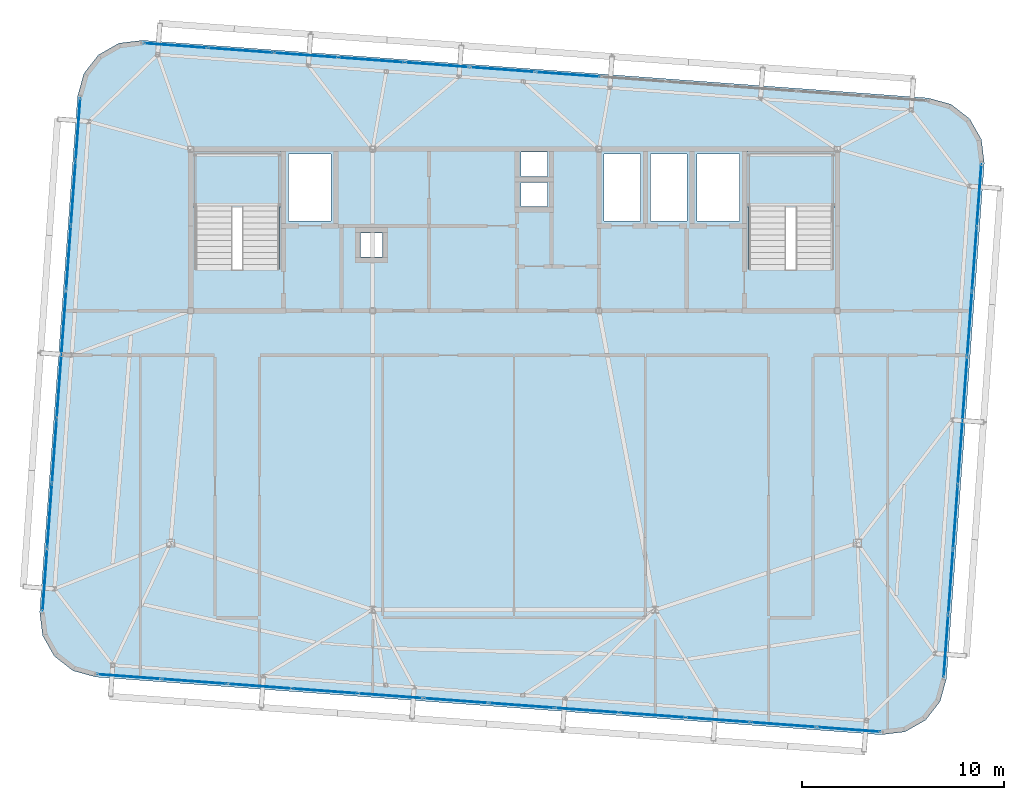
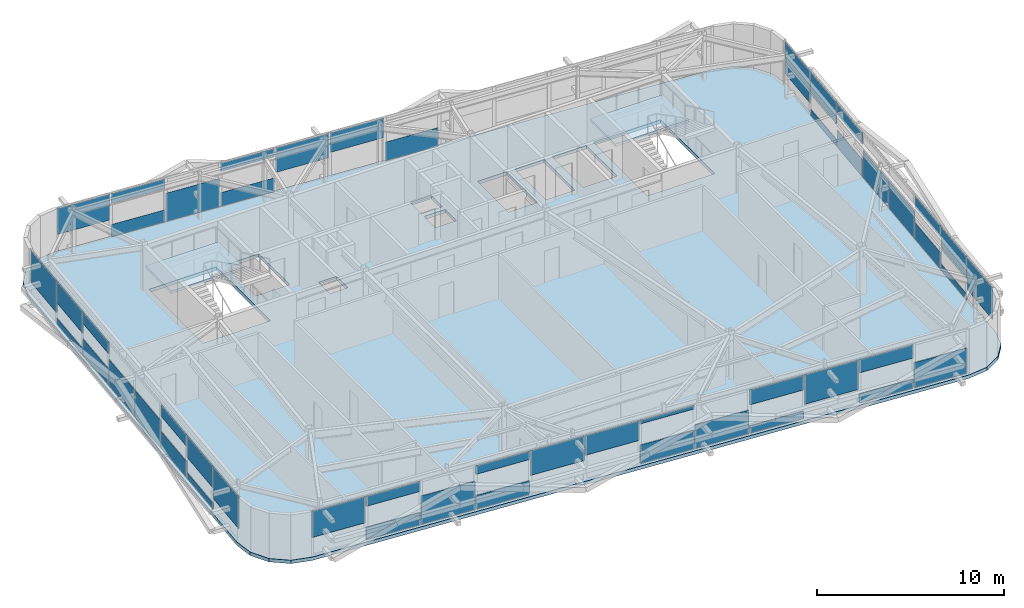
# One storey, part 29 of 42: 50 plates, 3 slabs, 6 elements without a shape of their own.
"""IFC4 building model written with IfcOpenShell, lengths in metres."""

from ifc_helpers import new_model, si_unit, direction, frame, origin, origin_2d, place, context, subcontext, project, spatial, polyline, rectangle, outline, extrude, source, transform, mapped, material, layer, layer_set, type_object, element, aggregate, save


model = new_model("IFC4")

# Units and contexts
model_context = context("Model", 3, precision=1e-05, world=origin(), true_north=direction((0.0, 1.0)))
body_context = subcontext(model_context, "Body", "Model", "MODEL_VIEW")
ifc_project = project(units=[si_unit("LENGTHUNIT", "METRE"), si_unit("AREAUNIT", "SQUARE_METRE"), si_unit("VOLUMEUNIT", "CUBIC_METRE"), si_unit("PLANEANGLEUNIT", "RADIAN"), si_unit("MASSUNIT", "GRAM", prefix="KILO")], contexts=[model_context])

# Site, building, storey
site_placement = place(None, origin())
site = spatial("IfcSite", under=ifc_project, at=site_placement, CompositionType="ELEMENT")
building_placement = place(site_placement, origin())
building = spatial("IfcBuilding", under=site, at=building_placement, Name="Taldren Reach Tower", CompositionType="ELEMENT")
storey_placement = place(building_placement, frame((0.0, 0.0, 217.699951171875)))
storey = spatial("IfcBuildingStorey", under=building, at=storey_placement, Name="L66", CompositionType="ELEMENT", Elevation=217.699951171875)

# Slab
ifc_material_1 = material(Name="Concrete N40 (40 MPa)", Category="concrete")
ifc_layer_1 = layer(ifc_material_1, 0.219970703125)
ifc_layer_set_1 = layer_set([ifc_layer_1], Name="Concrete N40 (40 MPa)")
slab_type_1 = type_object("IfcSlabType", Name="SL-FLR-220", PredefinedType="FLOOR", material=ifc_layer_set_1)
slab_1_placement = place(storey_placement, frame((0.0, 0.0, -0.219970703125)))
element("IfcSlab", 1, at=slab_1_placement, inside=storey, type_object=slab_type_1, Name="Suspended floor slab L66", PredefinedType="FLOOR", context=body_context, shape_type="SweptSolid", body=[
    extrude(outline(polyline([(53.1904296875, 3.014404296875), (54.35205078125, 3.157958984375), (55.370361328125, 3.7353515625), (56.09033203125, 4.658203125), (56.402099609375, 5.78662109375), (58.277099609375, 31.31787109375), (58.13330078125, 32.4794921875), (57.55615234375, 33.497802734375), (56.633056640625, 34.217529296875), (55.5048828125, 34.529541015625), (16.609619140625, 37.3857421875), (15.44775390625, 37.241943359375), (14.429443359375, 36.664794921875), (13.709716796875, 35.74169921875), (13.39794921875, 34.613525390625), (11.52294921875, 9.082275390625), (11.666748046875, 7.920654296875), (12.243896484375, 6.90234375), (13.1669921875, 6.182373046875), (14.295166015625, 5.87060546875), (53.1904296875, 3.014404296875)]), holes=[polyline([(19.219970703125, 26.050048828125), (23.3798828125, 26.050048828125), (23.3798828125, 31.820068359375), (19.219970703125, 31.820068359375), (19.219970703125, 26.050048828125)]), polyline([(46.6201171875, 26.050048828125), (50.780029296875, 26.050048828125), (50.780029296875, 31.820068359375), (46.6201171875, 31.820068359375), (46.6201171875, 26.050048828125)]), polyline([(23.85009765625, 28.449951171875), (25.949951171875, 28.449951171875), (25.949951171875, 31.75), (23.85009765625, 31.75), (23.85009765625, 28.449951171875)]), polyline([(44.050048828125, 28.449951171875), (46.14990234375, 28.449951171875), (46.14990234375, 31.75), (44.050048828125, 31.75), (44.050048828125, 28.449951171875)]), polyline([(39.449951171875, 28.449951171875), (41.25, 28.449951171875), (41.25, 31.75), (39.449951171875, 31.75), (39.449951171875, 28.449951171875)]), polyline([(41.75, 28.449951171875), (43.550048828125, 28.449951171875), (43.550048828125, 31.75), (41.75, 31.75), (41.75, 28.449951171875)]), polyline([(35.35009765625, 30.64990234375), (36.64990234375, 30.64990234375), (36.64990234375, 31.85009765625), (35.35009765625, 31.85009765625), (35.35009765625, 30.64990234375)]), polyline([(35.35009765625, 29.14990234375), (36.64990234375, 29.14990234375), (36.64990234375, 30.35009765625), (35.35009765625, 30.35009765625), (35.35009765625, 29.14990234375)]), polyline([(27.39990234375, 26.64990234375), (28.5, 26.64990234375), (28.5, 27.85009765625), (27.39990234375, 27.85009765625), (27.39990234375, 26.64990234375)])]), origin(), (0.0, 0.0, 1.0), 0.219970703125),
])

# Stair, slab
ifc_material_2 = material(Name="Concrete S50 (50 MPa)", Category="concrete")
stair_type = type_object("IfcStairType", Name="ST-HT-315", PredefinedType="HALF_TURN_STAIR", material=ifc_material_2)
stair_1_placement = place(storey_placement, origin())
stair_1 = element("IfcStair", 2, at=stair_1_placement, inside=storey, type_object=stair_type, Name="Fire-isolated exit stair ST1 L66", PredefinedType="HALF_TURN_STAIR")
ifc_layer_2 = layer(ifc_material_2, 0.179931640625)
ifc_layer_set_2 = layer_set([ifc_layer_2], Name="Concrete S50 (50 MPa)")
slab_type_2 = type_object("IfcSlabType", Name="SL-LAND-180", PredefinedType="LANDING", material=ifc_layer_set_2)
slab_2_placement = place(storey_placement, frame((0.0, 0.0, 1.39501953125)))
slab_2 = element("IfcSlab", 3, at=slab_2_placement, type_object=slab_type_2, Name="ST1 landing 1", PredefinedType="LANDING", context=body_context, shape_type="SweptSolid", body=[
    extrude(outline(polyline([(19.0400390625, 29.135009765625), (23.56005859375, 29.135009765625), (23.56005859375, 31.8701171875), (19.0400390625, 31.8701171875), (19.0400390625, 29.135009765625)])), origin(), (0.0, 0.0, 1.0), 0.179931640625),
])
aggregate(stair_1, [slab_2])

stair_2_placement = place(storey_placement, origin())
stair_2 = element("IfcStair", 4, at=stair_2_placement, inside=storey, type_object=stair_type, Name="Fire-isolated exit stair ST2 L66", PredefinedType="HALF_TURN_STAIR")
slab_3_placement = place(storey_placement, frame((0.0, 0.0, 1.39501953125)))
slab_3 = element("IfcSlab", 5, at=slab_3_placement, type_object=slab_type_2, Name="ST2 landing 1", PredefinedType="LANDING", context=body_context, shape_type="SweptSolid", body=[
    extrude(outline(polyline([(46.43994140625, 29.135009765625), (50.9599609375, 29.135009765625), (50.9599609375, 31.8701171875), (46.43994140625, 31.8701171875), (46.43994140625, 29.135009765625)])), origin(), (0.0, 0.0, 1.0), 0.179931640625),
])
aggregate(stair_2, [slab_3])

# Curtain wall, plates
ifc_material_3 = material(Name="Aluminium and Low-E Glass Unitised System", Category="aluminium")
ifc_layer_3 = layer(ifc_material_3, 0.159912109375)
ifc_layer_set_3 = layer_set([ifc_layer_3], Name="Aluminium and Low-E Glass Unitised System")
curtain_wall_type = type_object("IfcCurtainWallType", Name="CW-SYS-6", PredefinedType="NOTDEFINED", material=ifc_layer_set_3)
curtain_wall_1_placement = place(storey_placement, origin())
curtain_wall_1 = element("IfcCurtainWall", 6, at=curtain_wall_1_placement, inside=storey, type_object=curtain_wall_type, Name="Unitised curtain wall CW-L66-S", PredefinedType="NOTDEFINED")
ifc_material_4 = material(Name="Acoustic Triple-Laminated IGU", Category="glass")
ifc_layer_4 = layer(ifc_material_4, 0.035888671875)
ifc_layer_set_4 = layer_set([ifc_layer_4], Name="Acoustic Triple-Laminated IGU")
plate_type = type_object("IfcPlateType", Name="CW-PNL-IGU36", PredefinedType="CURTAIN_PANEL", material=ifc_layer_set_4)
shared_shape_1 = source(origin(), body_context, "Body", "SweptSolid", [
    extrude(rectangle(XDim=3.137451171875, YDim=0.035888671875, at=origin_2d()), origin(), (0.0, 0.0, 1.0), 1.63037109375),
])
plate_1_placement = place(storey_placement, frame((51.561279296875, 3.2744140625, 0.06005859375), z_axis=(0.0, 0.0, 1.0), x_axis=(0.997314476006, -0.073238213716, 0.0)))
plate_1 = element("IfcPlate", 7, at=plate_1_placement, type_object=plate_type, Name="CW-6 panel 12.1 part 1", PredefinedType="CURTAIN_PANEL", context=body_context, shape_type="MappedRepresentation", body=[
    mapped(shared_shape_1, transform((0.0, 0.0, 0.0), scale=1.0)),
])
shared_shape_2 = source(origin(), body_context, "Body", "SweptSolid", [
    extrude(rectangle(XDim=3.175048828125, YDim=0.035888671875, at=origin_2d()), origin(), (0.0, 0.0, 1.0), 0.574462890625),
])
plate_2_placement = place(storey_placement, frame((48.3388671875, 3.510986328125, 0.06005859375), z_axis=(0.0, 0.0, 1.0), x_axis=(0.997314476006, -0.073238213716, 0.0)))
plate_2 = element("IfcPlate", 8, at=plate_2_placement, type_object=plate_type, Name="CW-6 panel 11.1 part 1", PredefinedType="CURTAIN_PANEL", context=body_context, shape_type="MappedRepresentation", body=[
    mapped(shared_shape_2, transform((0.0, 0.0, 0.0), scale=1.0)),
])
shared_shape_3 = source(origin(), body_context, "Body", "SweptSolid", [
    extrude(rectangle(XDim=3.175048828125, YDim=0.035888671875, at=origin_2d()), origin(), (0.0, 0.0, 1.0), 0.852294921875),
])
plate_3_placement = place(storey_placement, frame((48.3388671875, 3.510986328125, 2.017578125), z_axis=(0.0, 0.0, 1.0), x_axis=(0.997314476006, -0.073238213716, 0.0)))
plate_3 = element("IfcPlate", 9, at=plate_3_placement, type_object=plate_type, Name="CW-6 panel 11.1 part 2", PredefinedType="CURTAIN_PANEL", context=body_context, shape_type="MappedRepresentation", body=[
    mapped(shared_shape_3, transform((0.0, 0.0, 0.0), scale=1.0)),
])
shared_shape_4 = source(origin(), body_context, "Body", "SweptSolid", [
    extrude(rectangle(XDim=3.175048828125, YDim=0.035888671875, at=origin_2d()), origin(), (0.0, 0.0, 1.0), 1.907958984375),
])
plate_4_placement = place(storey_placement, frame((45.09765625, 3.7490234375, 0.9619140625), z_axis=(0.0, 0.0, 1.0), x_axis=(0.997314476006, -0.073238213716, 0.0)))
plate_4 = element("IfcPlate", 10, at=plate_4_placement, type_object=plate_type, Name="CW-6 panel 10.1 part 1", PredefinedType="CURTAIN_PANEL", context=body_context, shape_type="MappedRepresentation", body=[
    mapped(shared_shape_4, transform((0.0, 0.0, 0.0), scale=1.0)),
])
shared_shape_5 = source(origin(), body_context, "Body", "SweptSolid", [
    extrude(rectangle(XDim=3.175048828125, YDim=0.035888671875, at=origin_2d()), origin(), (0.0, 0.0, 1.0), 0.473876953125),
])
plate_5_placement = place(storey_placement, frame((41.856201171875, 3.987060546875, 0.06005859375), z_axis=(0.0, 0.0, 1.0), x_axis=(0.997314476006, -0.073238213716, 0.0)))
plate_5 = element("IfcPlate", 11, at=plate_5_placement, type_object=plate_type, Name="CW-6 panel 9.1 part 1", PredefinedType="CURTAIN_PANEL", context=body_context, shape_type="MappedRepresentation", body=[
    mapped(shared_shape_5, transform((0.0, 0.0, 0.0), scale=1.0)),
])
shared_shape_6 = source(origin(), body_context, "Body", "SweptSolid", [
    extrude(rectangle(XDim=3.175048828125, YDim=0.035888671875, at=origin_2d()), origin(), (0.0, 0.0, 1.0), 0.952880859375),
])
plate_6_placement = place(storey_placement, frame((41.856201171875, 3.987060546875, 1.9169921875), z_axis=(0.0, 0.0, 1.0), x_axis=(0.997314476006, -0.073238213716, 0.0)))
plate_6 = element("IfcPlate", 12, at=plate_6_placement, type_object=plate_type, Name="CW-6 panel 9.1 part 2", PredefinedType="CURTAIN_PANEL", context=body_context, shape_type="MappedRepresentation", body=[
    mapped(shared_shape_6, transform((0.0, 0.0, 0.0), scale=1.0)),
])
shared_shape_7 = source(origin(), body_context, "Body", "SweptSolid", [
    extrude(rectangle(XDim=3.175048828125, YDim=0.035888671875, at=origin_2d()), origin(), (0.0, 0.0, 1.0), 1.52978515625),
])
plate_7_placement = place(storey_placement, frame((38.614990234375, 4.22509765625, 0.06005859375), z_axis=(0.0, 0.0, 1.0), x_axis=(0.997314476006, -0.073238213716, 0.0)))
plate_7 = element("IfcPlate", 13, at=plate_7_placement, type_object=plate_type, Name="CW-6 panel 8.1 part 1", PredefinedType="CURTAIN_PANEL", context=body_context, shape_type="MappedRepresentation", body=[
    mapped(shared_shape_7, transform((0.0, 0.0, 0.0), scale=1.0)),
])
shared_shape_8 = source(origin(), body_context, "Body", "SweptSolid", [
    extrude(rectangle(XDim=3.175048828125, YDim=0.035888671875, at=origin_2d()), origin(), (0.0, 0.0, 1.0), 1.21142578125),
])
plate_8_placement = place(storey_placement, frame((35.373779296875, 4.463134765625, 0.06005859375), z_axis=(0.0, 0.0, 1.0), x_axis=(0.997314476006, -0.073238213716, 0.0)))
plate_8 = element("IfcPlate", 14, at=plate_8_placement, type_object=plate_type, Name="CW-6 panel 7.1 part 1", PredefinedType="CURTAIN_PANEL", context=body_context, shape_type="MappedRepresentation", body=[
    mapped(shared_shape_8, transform((0.0, 0.0, 0.0), scale=1.0)),
])

# Curtain wall, plate
curtain_wall_2_placement = place(storey_placement, origin())
curtain_wall_2 = element("IfcCurtainWall", 15, at=curtain_wall_2_placement, inside=storey, type_object=curtain_wall_type, Name="Unitised curtain wall CW-L66-N", PredefinedType="NOTDEFINED")
plate_9_placement = place(storey_placement, frame((37.66748046875, 35.698974609375, 0.06005859375), z_axis=(0.0, 0.0, 1.0), x_axis=(-0.997314476006, 0.073238213716, 0.0)))
plate_9 = element("IfcPlate", 16, at=plate_9_placement, type_object=plate_type, Name="CW-6 panel 6.1 part 1", PredefinedType="CURTAIN_PANEL", context=body_context, shape_type="MappedRepresentation", body=[
    mapped(shared_shape_8, transform((0.0, 0.0, 0.0), scale=1.0)),
])

# Plate
shared_shape_9 = source(origin(), body_context, "Body", "SweptSolid", [
    extrude(rectangle(XDim=3.175048828125, YDim=0.035888671875, at=origin_2d()), origin(), (0.0, 0.0, 1.0), 0.215576171875),
])
plate_10_placement = place(storey_placement, frame((35.373779296875, 4.463134765625, 2.654296875), z_axis=(0.0, 0.0, 1.0), x_axis=(0.997314476006, -0.073238213716, 0.0)))
plate_10 = element("IfcPlate", 17, at=plate_10_placement, type_object=plate_type, Name="CW-6 panel 7.1 part 2", PredefinedType="CURTAIN_PANEL", context=body_context, shape_type="MappedRepresentation", body=[
    mapped(shared_shape_9, transform((0.0, 0.0, 0.0), scale=1.0)),
])

shared_shape_10 = source(origin(), body_context, "Body", "SweptSolid", [
    extrude(rectangle(XDim=3.175048828125, YDim=0.035888671875, at=origin_2d()), origin(), (0.0, 0.0, 1.0), 1.271240234375),
])
plate_11_placement = place(storey_placement, frame((32.132568359375, 4.701171875, 1.5986328125), z_axis=(0.0, 0.0, 1.0), x_axis=(0.997314476006, -0.073238213716, 0.0)))
plate_11 = element("IfcPlate", 18, at=plate_11_placement, type_object=plate_type, Name="CW-6 panel 6.1 part 1", PredefinedType="CURTAIN_PANEL", context=body_context, shape_type="MappedRepresentation", body=[
    mapped(shared_shape_10, transform((0.0, 0.0, 0.0), scale=1.0)),
])

plate_12_placement = place(storey_placement, frame((34.42626953125, 35.93701171875, 1.5986328125), z_axis=(0.0, 0.0, 1.0), x_axis=(-0.997314476006, 0.073238213716, 0.0)))
plate_12 = element("IfcPlate", 19, at=plate_12_placement, type_object=plate_type, Name="CW-6 panel 7.1 part 1", PredefinedType="CURTAIN_PANEL", context=body_context, shape_type="MappedRepresentation", body=[
    mapped(shared_shape_10, transform((0.0, 0.0, 0.0), scale=1.0)),
])

shared_shape_11 = source(origin(), body_context, "Body", "SweptSolid", [
    extrude(rectangle(XDim=3.175048828125, YDim=0.035888671875, at=origin_2d()), origin(), (0.0, 0.0, 1.0), 1.589599609375),
])
plate_13_placement = place(storey_placement, frame((28.89111328125, 4.939208984375, 1.2802734375), z_axis=(0.0, 0.0, 1.0), x_axis=(0.997314476006, -0.073238213716, 0.0)))
plate_13 = element("IfcPlate", 20, at=plate_13_placement, type_object=plate_type, Name="CW-6 panel 5.1 part 1", PredefinedType="CURTAIN_PANEL", context=body_context, shape_type="MappedRepresentation", body=[
    mapped(shared_shape_11, transform((0.0, 0.0, 0.0), scale=1.0)),
])

plate_14_placement = place(storey_placement, frame((31.18505859375, 36.175048828125, 1.2802734375), z_axis=(0.0, 0.0, 1.0), x_axis=(-0.997314476006, 0.073238213716, 0.0)))
plate_14 = element("IfcPlate", 21, at=plate_14_placement, type_object=plate_type, Name="CW-6 panel 8.1 part 1", PredefinedType="CURTAIN_PANEL", context=body_context, shape_type="MappedRepresentation", body=[
    mapped(shared_shape_11, transform((0.0, 0.0, 0.0), scale=1.0)),
])

shared_shape_12 = source(origin(), body_context, "Body", "SweptSolid", [
    extrude(rectangle(XDim=3.175048828125, YDim=0.035888671875, at=origin_2d()), origin(), (0.0, 0.0, 1.0), 0.89306640625),
])
plate_15_placement = place(storey_placement, frame((25.64990234375, 5.177001953125, 0.06005859375), z_axis=(0.0, 0.0, 1.0), x_axis=(0.997314476006, -0.073238213716, 0.0)))
plate_15 = element("IfcPlate", 22, at=plate_15_placement, type_object=plate_type, Name="CW-6 panel 4.1 part 1", PredefinedType="CURTAIN_PANEL", context=body_context, shape_type="MappedRepresentation", body=[
    mapped(shared_shape_12, transform((0.0, 0.0, 0.0), scale=1.0)),
])

plate_16_placement = place(storey_placement, frame((27.94384765625, 36.4130859375, 0.06005859375), z_axis=(0.0, 0.0, 1.0), x_axis=(-0.997314476006, 0.073238213716, 0.0)))
plate_16 = element("IfcPlate", 23, at=plate_16_placement, type_object=plate_type, Name="CW-6 panel 9.1 part 1", PredefinedType="CURTAIN_PANEL", context=body_context, shape_type="MappedRepresentation", body=[
    mapped(shared_shape_12, transform((0.0, 0.0, 0.0), scale=1.0)),
])

shared_shape_13 = source(origin(), body_context, "Body", "SweptSolid", [
    extrude(rectangle(XDim=3.175048828125, YDim=0.035888671875, at=origin_2d()), origin(), (0.0, 0.0, 1.0), 0.533935546875),
])
plate_17_placement = place(storey_placement, frame((25.64990234375, 5.177001953125, 2.3359375), z_axis=(0.0, 0.0, 1.0), x_axis=(0.997314476006, -0.073238213716, 0.0)))
plate_17 = element("IfcPlate", 24, at=plate_17_placement, type_object=plate_type, Name="CW-6 panel 4.1 part 2", PredefinedType="CURTAIN_PANEL", context=body_context, shape_type="MappedRepresentation", body=[
    mapped(shared_shape_13, transform((0.0, 0.0, 0.0), scale=1.0)),
])

plate_18_placement = place(storey_placement, frame((27.94384765625, 36.4130859375, 2.3359375), z_axis=(0.0, 0.0, 1.0), x_axis=(-0.997314476006, 0.073238213716, 0.0)))
plate_18 = element("IfcPlate", 25, at=plate_18_placement, type_object=plate_type, Name="CW-6 panel 9.1 part 2", PredefinedType="CURTAIN_PANEL", context=body_context, shape_type="MappedRepresentation", body=[
    mapped(shared_shape_13, transform((0.0, 0.0, 0.0), scale=1.0)),
])

shared_shape_14 = source(origin(), body_context, "Body", "SweptSolid", [
    extrude(rectangle(XDim=3.175048828125, YDim=0.035888671875, at=origin_2d()), origin(), (0.0, 0.0, 1.0), 1.84814453125),
])
plate_19_placement = place(storey_placement, frame((22.40869140625, 5.4150390625, 0.06005859375), z_axis=(0.0, 0.0, 1.0), x_axis=(0.997314476006, -0.073238213716, 0.0)))
plate_19 = element("IfcPlate", 26, at=plate_19_placement, type_object=plate_type, Name="CW-6 panel 3.1 part 1", PredefinedType="CURTAIN_PANEL", context=body_context, shape_type="MappedRepresentation", body=[
    mapped(shared_shape_14, transform((0.0, 0.0, 0.0), scale=1.0)),
])

plate_20_placement = place(storey_placement, frame((24.702392578125, 36.651123046875, 0.06005859375), z_axis=(0.0, 0.0, 1.0), x_axis=(-0.997314476006, 0.073238213716, 0.0)))
plate_20 = element("IfcPlate", 27, at=plate_20_placement, type_object=plate_type, Name="CW-6 panel 10.1 part 1", PredefinedType="CURTAIN_PANEL", context=body_context, shape_type="MappedRepresentation", body=[
    mapped(shared_shape_14, transform((0.0, 0.0, 0.0), scale=1.0)),
])

shared_shape_15 = source(origin(), body_context, "Body", "SweptSolid", [
    extrude(rectangle(XDim=3.175048828125, YDim=0.035888671875, at=origin_2d()), origin(), (0.0, 0.0, 1.0), 0.792236328125),
])
plate_21_placement = place(storey_placement, frame((19.16748046875, 5.653076171875, 0.06005859375), z_axis=(0.0, 0.0, 1.0), x_axis=(0.997314476006, -0.073238213716, 0.0)))
plate_21 = element("IfcPlate", 28, at=plate_21_placement, type_object=plate_type, Name="CW-6 panel 2.1 part 1", PredefinedType="CURTAIN_PANEL", context=body_context, shape_type="MappedRepresentation", body=[
    mapped(shared_shape_15, transform((0.0, 0.0, 0.0), scale=1.0)),
])

plate_22_placement = place(storey_placement, frame((21.461181640625, 36.88916015625, 0.06005859375), z_axis=(0.0, 0.0, 1.0), x_axis=(-0.997314476006, 0.073238213716, 0.0)))
plate_22 = element("IfcPlate", 29, at=plate_22_placement, type_object=plate_type, Name="CW-6 panel 11.1 part 1", PredefinedType="CURTAIN_PANEL", context=body_context, shape_type="MappedRepresentation", body=[
    mapped(shared_shape_15, transform((0.0, 0.0, 0.0), scale=1.0)),
])

shared_shape_16 = source(origin(), body_context, "Body", "SweptSolid", [
    extrude(rectangle(XDim=3.175048828125, YDim=0.035888671875, at=origin_2d()), origin(), (0.0, 0.0, 1.0), 0.634521484375),
])
plate_23_placement = place(storey_placement, frame((19.16748046875, 5.653076171875, 2.2353515625), z_axis=(0.0, 0.0, 1.0), x_axis=(0.997314476006, -0.073238213716, 0.0)))
plate_23 = element("IfcPlate", 30, at=plate_23_placement, type_object=plate_type, Name="CW-6 panel 2.1 part 2", PredefinedType="CURTAIN_PANEL", context=body_context, shape_type="MappedRepresentation", body=[
    mapped(shared_shape_16, transform((0.0, 0.0, 0.0), scale=1.0)),
])

plate_24_placement = place(storey_placement, frame((21.461181640625, 36.88916015625, 2.2353515625), z_axis=(0.0, 0.0, 1.0), x_axis=(-0.997314476006, 0.073238213716, 0.0)))
plate_24 = element("IfcPlate", 31, at=plate_24_placement, type_object=plate_type, Name="CW-6 panel 11.1 part 2", PredefinedType="CURTAIN_PANEL", context=body_context, shape_type="MappedRepresentation", body=[
    mapped(shared_shape_16, transform((0.0, 0.0, 0.0), scale=1.0)),
])

shared_shape_17 = source(origin(), body_context, "Body", "SweptSolid", [
    extrude(rectangle(XDim=3.137451171875, YDim=0.035888671875, at=origin_2d()), origin(), (0.0, 0.0, 1.0), 1.6904296875),
])
plate_25_placement = place(storey_placement, frame((15.94482421875, 5.889892578125, 1.1796875), z_axis=(0.0, 0.0, 1.0), x_axis=(0.997314476006, -0.073238213716, 0.0)))
plate_25 = element("IfcPlate", 32, at=plate_25_placement, type_object=plate_type, Name="CW-6 panel 1.1 part 1", PredefinedType="CURTAIN_PANEL", context=body_context, shape_type="MappedRepresentation", body=[
    mapped(shared_shape_17, transform((0.0, 0.0, 0.0), scale=1.0)),
])

aggregate(curtain_wall_1, [plate_25, plate_21, plate_23, plate_19, plate_15, plate_17, plate_13, plate_11, plate_8, plate_10, plate_7, plate_5, plate_6, plate_4, plate_2, plate_3, plate_1])

plate_26_placement = place(storey_placement, frame((18.238525390625, 37.125732421875, 1.1796875), z_axis=(0.0, 0.0, 1.0), x_axis=(-0.997314476006, 0.073238213716, 0.0)))
plate_26 = element("IfcPlate", 33, at=plate_26_placement, type_object=plate_type, Name="CW-6 panel 12.1 part 1", PredefinedType="CURTAIN_PANEL", context=body_context, shape_type="MappedRepresentation", body=[
    mapped(shared_shape_17, transform((0.0, 0.0, 0.0), scale=1.0)),
])

aggregate(curtain_wall_2, [plate_9, plate_12, plate_14, plate_16, plate_18, plate_20, plate_22, plate_24, plate_26])

# Curtain wall, plates
curtain_wall_3_placement = place(storey_placement, origin())
curtain_wall_3 = element("IfcCurtainWall", 34, at=curtain_wall_3_placement, inside=storey, type_object=curtain_wall_type, Name="Unitised curtain wall CW-L66-W", PredefinedType="NOTDEFINED")
shared_shape_18 = source(origin(), body_context, "Body", "SweptSolid", [
    extrude(rectangle(XDim=3.08740234375, YDim=0.035888671875, at=origin_2d()), origin(), (0.0, 0.0, 1.0), 2.06787109375),
])
plate_27_placement = place(storey_placement, frame((13.4189453125, 32.98876953125, 0.80224609375), z_axis=(0.0, 0.0, 1.0), x_axis=(-0.073238282558, -0.997314470951, 0.0)))
plate_27 = element("IfcPlate", 35, at=plate_27_placement, type_object=plate_type, Name="CW-6 panel 1.1 part 1", PredefinedType="CURTAIN_PANEL", context=body_context, shape_type="MappedRepresentation", body=[
    mapped(shared_shape_18, transform((0.0, 0.0, 0.0), scale=1.0)),
])
plate_28_placement = place(storey_placement, frame((11.78125, 10.686279296875, 0.80224609375), z_axis=(0.0, 0.0, 1.0), x_axis=(-0.073238282558, -0.997314470951, 0.0)))
plate_28 = element("IfcPlate", 36, at=plate_28_placement, type_object=plate_type, Name="CW-6 panel 8.1 part 1", PredefinedType="CURTAIN_PANEL", context=body_context, shape_type="MappedRepresentation", body=[
    mapped(shared_shape_18, transform((0.0, 0.0, 0.0), scale=1.0)),
])

curtain_wall_4_placement = place(storey_placement, origin())
curtain_wall_4 = element("IfcCurtainWall", 37, at=curtain_wall_4_placement, inside=storey, type_object=curtain_wall_type, Name="Unitised curtain wall CW-L66-E", PredefinedType="NOTDEFINED")
plate_29_placement = place(storey_placement, frame((56.381103515625, 7.4111328125, 0.80224609375), z_axis=(0.0, 0.0, 1.0), x_axis=(0.073238282558, 0.997314470951, 0.0)))
plate_29 = element("IfcPlate", 38, at=plate_29_placement, type_object=plate_type, Name="CW-6 panel 1.1 part 1", PredefinedType="CURTAIN_PANEL", context=body_context, shape_type="MappedRepresentation", body=[
    mapped(shared_shape_18, transform((0.0, 0.0, 0.0), scale=1.0)),
])
plate_30_placement = place(storey_placement, frame((58.018798828125, 29.713623046875, 0.80224609375), z_axis=(0.0, 0.0, 1.0), x_axis=(0.073238282558, 0.997314470951, 0.0)))
plate_30 = element("IfcPlate", 39, at=plate_30_placement, type_object=plate_type, Name="CW-6 panel 8.1 part 1", PredefinedType="CURTAIN_PANEL", context=body_context, shape_type="MappedRepresentation", body=[
    mapped(shared_shape_18, transform((0.0, 0.0, 0.0), scale=1.0)),
])

# Plate
shared_shape_19 = source(origin(), body_context, "Body", "SweptSolid", [
    extrude(rectangle(XDim=3.125, YDim=0.035888671875, at=origin_2d()), origin(), (0.0, 0.0, 1.0), 0.415771484375),
])
plate_31_placement = place(storey_placement, frame((13.18603515625, 29.816162109375, 0.06005859375), z_axis=(0.0, 0.0, 1.0), x_axis=(-0.073238282558, -0.997314470951, 0.0)))
plate_31 = element("IfcPlate", 40, at=plate_31_placement, type_object=plate_type, Name="CW-6 panel 2.1 part 1", PredefinedType="CURTAIN_PANEL", context=body_context, shape_type="MappedRepresentation", body=[
    mapped(shared_shape_19, transform((0.0, 0.0, 0.0), scale=1.0)),
])

plate_32_placement = place(storey_placement, frame((12.01416015625, 13.859130859375, 0.06005859375), z_axis=(0.0, 0.0, 1.0), x_axis=(-0.073238282558, -0.997314470951, 0.0)))
plate_32 = element("IfcPlate", 41, at=plate_32_placement, type_object=plate_type, Name="CW-6 panel 7.1 part 1", PredefinedType="CURTAIN_PANEL", context=body_context, shape_type="MappedRepresentation", body=[
    mapped(shared_shape_19, transform((0.0, 0.0, 0.0), scale=1.0)),
])

plate_33_placement = place(storey_placement, frame((56.614013671875, 10.583984375, 0.06005859375), z_axis=(0.0, 0.0, 1.0), x_axis=(0.073238282558, 0.997314470951, 0.0)))
plate_33 = element("IfcPlate", 42, at=plate_33_placement, type_object=plate_type, Name="CW-6 panel 2.1 part 1", PredefinedType="CURTAIN_PANEL", context=body_context, shape_type="MappedRepresentation", body=[
    mapped(shared_shape_19, transform((0.0, 0.0, 0.0), scale=1.0)),
])

plate_34_placement = place(storey_placement, frame((57.785888671875, 26.541015625, 0.06005859375), z_axis=(0.0, 0.0, 1.0), x_axis=(0.073238282558, 0.997314470951, 0.0)))
plate_34 = element("IfcPlate", 43, at=plate_34_placement, type_object=plate_type, Name="CW-6 panel 7.1 part 1", PredefinedType="CURTAIN_PANEL", context=body_context, shape_type="MappedRepresentation", body=[
    mapped(shared_shape_19, transform((0.0, 0.0, 0.0), scale=1.0)),
])

shared_shape_20 = source(origin(), body_context, "Body", "SweptSolid", [
    extrude(rectangle(XDim=3.125, YDim=0.035888671875, at=origin_2d()), origin(), (0.0, 0.0, 1.0), 1.3974609375),
])
plate_35_placement = place(storey_placement, frame((13.18603515625, 29.816162109375, 1.47265625), z_axis=(0.0, 0.0, 1.0), x_axis=(-0.073238282558, -0.997314470951, 0.0)))
plate_35 = element("IfcPlate", 44, at=plate_35_placement, type_object=plate_type, Name="CW-6 panel 2.1 part 2", PredefinedType="CURTAIN_PANEL", context=body_context, shape_type="MappedRepresentation", body=[
    mapped(shared_shape_20, transform((0.0, 0.0, 0.0), scale=1.0)),
])

plate_36_placement = place(storey_placement, frame((12.01416015625, 13.859130859375, 1.47265625), z_axis=(0.0, 0.0, 1.0), x_axis=(-0.073238282558, -0.997314470951, 0.0)))
plate_36 = element("IfcPlate", 45, at=plate_36_placement, type_object=plate_type, Name="CW-6 panel 7.1 part 2", PredefinedType="CURTAIN_PANEL", context=body_context, shape_type="MappedRepresentation", body=[
    mapped(shared_shape_20, transform((0.0, 0.0, 0.0), scale=1.0)),
])

plate_37_placement = place(storey_placement, frame((56.614013671875, 10.583984375, 1.47265625), z_axis=(0.0, 0.0, 1.0), x_axis=(0.073238282558, 0.997314470951, 0.0)))
plate_37 = element("IfcPlate", 46, at=plate_37_placement, type_object=plate_type, Name="CW-6 panel 2.1 part 2", PredefinedType="CURTAIN_PANEL", context=body_context, shape_type="MappedRepresentation", body=[
    mapped(shared_shape_20, transform((0.0, 0.0, 0.0), scale=1.0)),
])

plate_38_placement = place(storey_placement, frame((57.785888671875, 26.541015625, 1.47265625), z_axis=(0.0, 0.0, 1.0), x_axis=(0.073238282558, 0.997314470951, 0.0)))
plate_38 = element("IfcPlate", 47, at=plate_38_placement, type_object=plate_type, Name="CW-6 panel 7.1 part 2", PredefinedType="CURTAIN_PANEL", context=body_context, shape_type="MappedRepresentation", body=[
    mapped(shared_shape_20, transform((0.0, 0.0, 0.0), scale=1.0)),
])

shared_shape_21 = source(origin(), body_context, "Body", "SweptSolid", [
    extrude(rectangle(XDim=3.125, YDim=0.035888671875, at=origin_2d()), origin(), (0.0, 0.0, 1.0), 1.086181640625),
])
plate_39_placement = place(storey_placement, frame((12.95166015625, 26.624755859375, 0.06005859375), z_axis=(0.0, 0.0, 1.0), x_axis=(-0.073238282558, -0.997314470951, 0.0)))
plate_39 = element("IfcPlate", 48, at=plate_39_placement, type_object=plate_type, Name="CW-6 panel 3.1 part 1", PredefinedType="CURTAIN_PANEL", context=body_context, shape_type="MappedRepresentation", body=[
    mapped(shared_shape_21, transform((0.0, 0.0, 0.0), scale=1.0)),
])

plate_40_placement = place(storey_placement, frame((12.24853515625, 17.050537109375, 0.06005859375), z_axis=(0.0, 0.0, 1.0), x_axis=(-0.073238282558, -0.997314470951, 0.0)))
plate_40 = element("IfcPlate", 49, at=plate_40_placement, type_object=plate_type, Name="CW-6 panel 6.1 part 1", PredefinedType="CURTAIN_PANEL", context=body_context, shape_type="MappedRepresentation", body=[
    mapped(shared_shape_21, transform((0.0, 0.0, 0.0), scale=1.0)),
])

plate_41_placement = place(storey_placement, frame((56.848388671875, 13.775390625, 0.06005859375), z_axis=(0.0, 0.0, 1.0), x_axis=(0.073238282558, 0.997314470951, 0.0)))
plate_41 = element("IfcPlate", 50, at=plate_41_placement, type_object=plate_type, Name="CW-6 panel 3.1 part 1", PredefinedType="CURTAIN_PANEL", context=body_context, shape_type="MappedRepresentation", body=[
    mapped(shared_shape_21, transform((0.0, 0.0, 0.0), scale=1.0)),
])

plate_42_placement = place(storey_placement, frame((57.551513671875, 23.349609375, 0.06005859375), z_axis=(0.0, 0.0, 1.0), x_axis=(0.073238282558, 0.997314470951, 0.0)))
plate_42 = element("IfcPlate", 51, at=plate_42_placement, type_object=plate_type, Name="CW-6 panel 6.1 part 1", PredefinedType="CURTAIN_PANEL", context=body_context, shape_type="MappedRepresentation", body=[
    mapped(shared_shape_21, transform((0.0, 0.0, 0.0), scale=1.0)),
])

shared_shape_22 = source(origin(), body_context, "Body", "SweptSolid", [
    extrude(rectangle(XDim=3.125, YDim=0.035888671875, at=origin_2d()), origin(), (0.0, 0.0, 1.0), 0.727294921875),
])
plate_43_placement = place(storey_placement, frame((12.95166015625, 26.624755859375, 2.142578125), z_axis=(0.0, 0.0, 1.0), x_axis=(-0.073238282558, -0.997314470951, 0.0)))
plate_43 = element("IfcPlate", 52, at=plate_43_placement, type_object=plate_type, Name="CW-6 panel 3.1 part 2", PredefinedType="CURTAIN_PANEL", context=body_context, shape_type="MappedRepresentation", body=[
    mapped(shared_shape_22, transform((0.0, 0.0, 0.0), scale=1.0)),
])

plate_44_placement = place(storey_placement, frame((12.24853515625, 17.050537109375, 2.142578125), z_axis=(0.0, 0.0, 1.0), x_axis=(-0.073238282558, -0.997314470951, 0.0)))
plate_44 = element("IfcPlate", 53, at=plate_44_placement, type_object=plate_type, Name="CW-6 panel 6.1 part 2", PredefinedType="CURTAIN_PANEL", context=body_context, shape_type="MappedRepresentation", body=[
    mapped(shared_shape_22, transform((0.0, 0.0, 0.0), scale=1.0)),
])

plate_45_placement = place(storey_placement, frame((56.848388671875, 13.775390625, 2.142578125), z_axis=(0.0, 0.0, 1.0), x_axis=(0.073238282558, 0.997314470951, 0.0)))
plate_45 = element("IfcPlate", 54, at=plate_45_placement, type_object=plate_type, Name="CW-6 panel 3.1 part 2", PredefinedType="CURTAIN_PANEL", context=body_context, shape_type="MappedRepresentation", body=[
    mapped(shared_shape_22, transform((0.0, 0.0, 0.0), scale=1.0)),
])

plate_46_placement = place(storey_placement, frame((57.551513671875, 23.349609375, 2.142578125), z_axis=(0.0, 0.0, 1.0), x_axis=(0.073238282558, 0.997314470951, 0.0)))
plate_46 = element("IfcPlate", 55, at=plate_46_placement, type_object=plate_type, Name="CW-6 panel 6.1 part 2", PredefinedType="CURTAIN_PANEL", context=body_context, shape_type="MappedRepresentation", body=[
    mapped(shared_shape_22, transform((0.0, 0.0, 0.0), scale=1.0)),
])

shared_shape_23 = source(origin(), body_context, "Body", "SweptSolid", [
    extrude(rectangle(XDim=3.125, YDim=0.035888671875, at=origin_2d()), origin(), (0.0, 0.0, 1.0), 1.756591796875),
])
plate_47_placement = place(storey_placement, frame((12.71728515625, 23.433349609375, 0.06005859375), z_axis=(0.0, 0.0, 1.0), x_axis=(-0.073238282558, -0.997314470951, 0.0)))
plate_47 = element("IfcPlate", 56, at=plate_47_placement, type_object=plate_type, Name="CW-6 panel 4.1 part 1", PredefinedType="CURTAIN_PANEL", context=body_context, shape_type="MappedRepresentation", body=[
    mapped(shared_shape_23, transform((0.0, 0.0, 0.0), scale=1.0)),
])

plate_48_placement = place(storey_placement, frame((12.48291015625, 20.241943359375, 0.06005859375), z_axis=(0.0, 0.0, 1.0), x_axis=(-0.073238282558, -0.997314470951, 0.0)))
plate_48 = element("IfcPlate", 57, at=plate_48_placement, type_object=plate_type, Name="CW-6 panel 5.1 part 1", PredefinedType="CURTAIN_PANEL", context=body_context, shape_type="MappedRepresentation", body=[
    mapped(shared_shape_23, transform((0.0, 0.0, 0.0), scale=1.0)),
])

aggregate(curtain_wall_3, [plate_27, plate_31, plate_35, plate_39, plate_43, plate_47, plate_48, plate_40, plate_44, plate_32, plate_36, plate_28])

plate_49_placement = place(storey_placement, frame((57.082763671875, 16.966796875, 0.06005859375), z_axis=(0.0, 0.0, 1.0), x_axis=(0.073238282558, 0.997314470951, 0.0)))
plate_49 = element("IfcPlate", 58, at=plate_49_placement, type_object=plate_type, Name="CW-6 panel 4.1 part 1", PredefinedType="CURTAIN_PANEL", context=body_context, shape_type="MappedRepresentation", body=[
    mapped(shared_shape_23, transform((0.0, 0.0, 0.0), scale=1.0)),
])

plate_50_placement = place(storey_placement, frame((57.317138671875, 20.158203125, 0.06005859375), z_axis=(0.0, 0.0, 1.0), x_axis=(0.073238282558, 0.997314470951, 0.0)))
plate_50 = element("IfcPlate", 59, at=plate_50_placement, type_object=plate_type, Name="CW-6 panel 5.1 part 1", PredefinedType="CURTAIN_PANEL", context=body_context, shape_type="MappedRepresentation", body=[
    mapped(shared_shape_23, transform((0.0, 0.0, 0.0), scale=1.0)),
])

aggregate(curtain_wall_4, [plate_29, plate_33, plate_37, plate_41, plate_45, plate_49, plate_50, plate_42, plate_46, plate_34, plate_38, plate_30])

save(model, "model.ifc")
